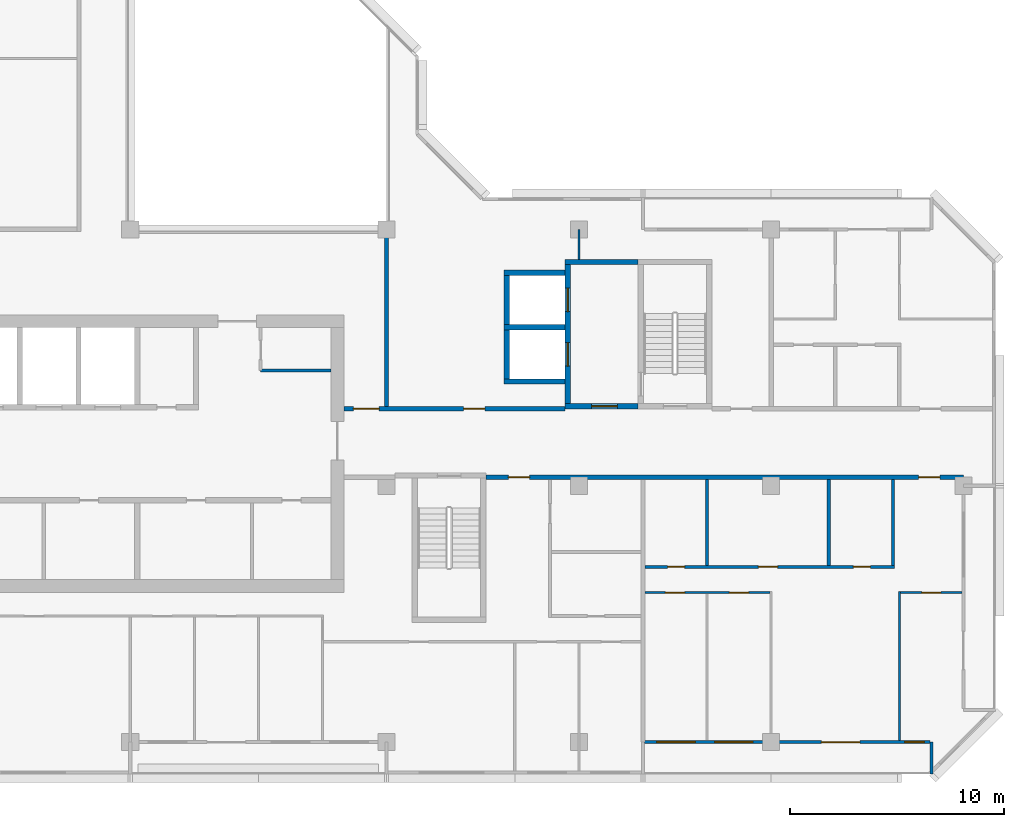
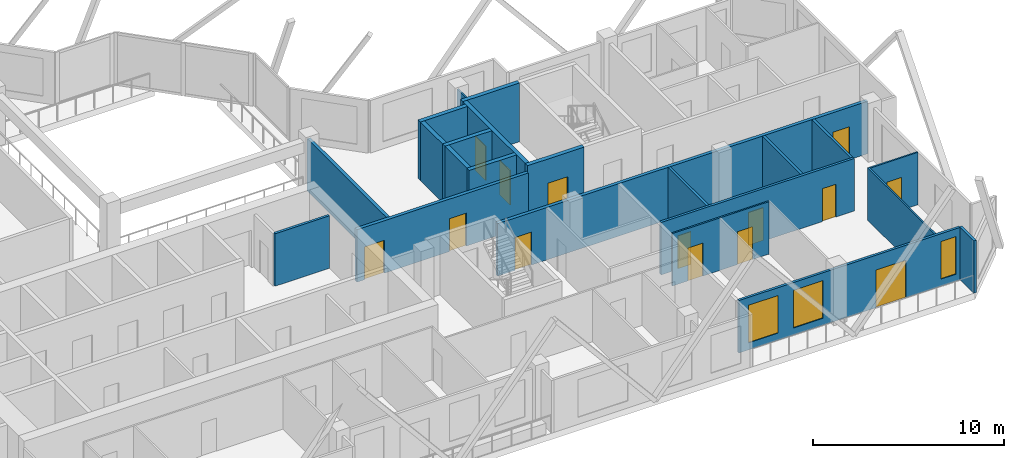
# One storey, part 7 of 13: 22 walls, 14 doors, 3 windows, 17 openings.
"""IFC4 building model written with IfcOpenShell, lengths in metres."""

from ifc_helpers import new_model, si_unit, direction, frame, frame_2d, origin, place, context, subcontext, project, spatial, rectangle, extrude, material, layer, layer_set, type_object, element, fill, save


model = new_model("IFC4")

# Units and contexts
model_context = context("Model", 3, precision=1e-05, world=origin(), true_north=direction((0.0, 1.0)))
body_context = subcontext(model_context, "Body", "Model", "MODEL_VIEW")
ifc_project = project(units=[si_unit("LENGTHUNIT", "METRE"), si_unit("AREAUNIT", "SQUARE_METRE"), si_unit("VOLUMEUNIT", "CUBIC_METRE"), si_unit("PLANEANGLEUNIT", "RADIAN"), si_unit("MASSUNIT", "GRAM", prefix="KILO")], contexts=[model_context])

# Site, building, storey
site_placement = place(None, origin())
site = spatial("IfcSite", under=ifc_project, at=site_placement, CompositionType="ELEMENT")
building_placement = place(site_placement, origin())
building = spatial("IfcBuilding", under=site, at=building_placement, Name="Chenar Terraces", CompositionType="ELEMENT")
storey_placement = place(building_placement, frame((0.0, 0.0, 288.39990234375)))
storey = spatial("IfcBuildingStorey", under=building, at=storey_placement, Name="L67", CompositionType="ELEMENT", Elevation=288.39990234375)

# Wall
ifc_material_1 = material(Name="Gypsum board on steel studs", Category="steel")
ifc_layer_1 = layer(ifc_material_1, 0.14990234375)
ifc_layer_set_1 = layer_set([ifc_layer_1], Name="Gypsum board on steel studs")
wall_type_1 = type_object("IfcWallType", Name="Core partition 150 gypsum board", PredefinedType="PARTITIONING", material=ifc_layer_set_1)
wall_1_placement = place(storey_placement, frame((30.10009765625, 17.39990234375, 0.0), z_axis=(0.0, 0.0, 1.0), x_axis=(1.0, 0.0, 0.0)))
element("IfcWall", 1, at=wall_1_placement, inside=storey, type_object=wall_type_1, Name="Core partition CP1 vestibule room south wall", PredefinedType="PARTITIONING", context=body_context, shape_type="SweptSolid", body=[
    extrude(rectangle(XDim=3.2998046875, YDim=0.14990234375, at=frame_2d((1.64990234375, 0.0))), origin(), (0.0, 0.0, 1.0), 3.35009765625),
])

# Wall, opening, door
ifc_material_2 = material(Name="Concrete C50/60", Category="concrete")
ifc_layer_2 = layer(ifc_material_2, 0.25)
ifc_layer_set_2 = layer_set([ifc_layer_2], Name="Concrete C50/60")
wall_type_2 = type_object("IfcWallType", Name="Core wall 250 Concrete C50/60", PredefinedType="SHEAR", material=ifc_layer_set_2)
wall_2_placement = place(storey_placement, frame((44.35009765625, 15.72509765625, 0.0), z_axis=(0.0, 0.0, 1.0), x_axis=(1.0, 0.0, 0.0)))
wall_2 = element("IfcWall", 2, at=wall_2_placement, inside=storey, type_object=wall_type_2, Name="Core wall F3_LS L67", PredefinedType="SHEAR", context=body_context, shape_type="SweptSolid", body=[
    extrude(rectangle(XDim=3.4248046875, YDim=0.25, at=frame_2d((1.71240234375, 0.0))), origin(), (0.0, 0.0, 1.0), 3.75),
])
opening_1_placement = place(wall_2_placement, frame((1.25, 0.0, 0.0)))
opening_1 = element("IfcOpeningElement", 3, at=opening_1_placement, cuts=wall_2, Name="Opening DL67-C10", PredefinedType="OPENING", context=body_context, shape_type="SweptSolid", body=[
    extrude(rectangle(XDim=1.199951171875, YDim=2.199951171875, at=frame_2d((0.60009765625, 1.10009765625))), frame((0.0, 0.135009765625, 0.0), z_axis=(0.0, -1.0, 0.0), x_axis=(1.0, 0.0, 0.0)), (0.0, 0.0, 1.0), 0.27001953125),
])
ifc_material_3 = material(Name="Steel-framed fire-resisting door leaf", Category="steel")
door_type_1 = type_object("IfcDoorType", Name="Lobby fire door FD60 1200 x 2200", OperationType="SINGLE_SWING_LEFT", PredefinedType="DOOR", material=ifc_material_3)
door_1_placement = place(opening_1_placement, origin())
door_1 = element("IfcDoor", 4, at=door_1_placement, inside=storey, type_object=door_type_1, Name="Core door DL67-C10", OperationType="SINGLE_SWING_RIGHT", OverallHeight=2.199951171875, OverallWidth=1.199951171875, PredefinedType="DOOR", context=body_context, shape_type="SweptSolid", body=[
    extrude(rectangle(XDim=1.199951171875, YDim=2.199951171875, at=frame_2d((0.60009765625, 1.10009765625))), frame((0.0, 0.02490234375, 0.0), z_axis=(0.0, -1.0, 0.0), x_axis=(1.0, 0.0, 0.0)), (0.0, 0.0, 1.0), 0.050048828125),
])
fill(opening_1, door_1)

# Wall
wall_3_placement = place(storey_placement, frame((44.35009765625, 22.47509765625, 0.0), z_axis=(0.0, 0.0, 1.0), x_axis=(1.0, 0.0, 0.0)))
element("IfcWall", 5, at=wall_3_placement, inside=storey, type_object=wall_type_2, Name="Core wall F3_LN L67", PredefinedType="SHEAR", context=body_context, shape_type="SweptSolid", body=[
    extrude(rectangle(XDim=3.4248046875, YDim=0.25, at=frame_2d((1.71240234375, 0.0))), origin(), (0.0, 0.0, 1.0), 3.75),
])

# Wall, openings, doors
wall_4_placement = place(storey_placement, frame((44.47509765625, 15.85009765625, 0.0), z_axis=(0.0, 0.0, 1.0), x_axis=(0.0, 1.0, 0.0)))
wall_4 = element("IfcWall", 6, at=wall_4_placement, inside=storey, type_object=wall_type_2, Name="Core wall F3_LW L67", PredefinedType="SHEAR", context=body_context, shape_type="SweptSolid", body=[
    extrude(rectangle(XDim=6.5, YDim=0.25, at=frame_2d((3.25, 0.0))), origin(), (0.0, 0.0, 1.0), 3.75),
])
opening_2_placement = place(wall_4_placement, frame((1.75, 0.0, 0.0)))
opening_2 = element("IfcOpeningElement", 7, at=opening_2_placement, cuts=wall_4, Name="Opening DL67-LD8", PredefinedType="OPENING", context=body_context, shape_type="SweptSolid", body=[
    extrude(rectangle(XDim=1.10009765625, YDim=2.199951171875, at=frame_2d((0.550048828125, 1.10009765625))), frame((0.0, 0.135009765625, 0.0), z_axis=(0.0, -1.0, 0.0), x_axis=(1.0, 0.0, 0.0)), (0.0, 0.0, 1.0), 0.27001953125),
])
opening_3_placement = place(wall_4_placement, frame((4.300048828125, 0.0, 0.0)))
opening_3 = element("IfcOpeningElement", 8, at=opening_3_placement, cuts=wall_4, Name="Opening DL67-LD9", PredefinedType="OPENING", context=body_context, shape_type="SweptSolid", body=[
    extrude(rectangle(XDim=1.10009765625, YDim=2.199951171875, at=frame_2d((0.550048828125, 1.10009765625))), frame((0.0, 0.135009765625, 0.0), z_axis=(0.0, -1.0, 0.0), x_axis=(1.0, 0.0, 0.0)), (0.0, 0.0, 1.0), 0.27001953125),
])
ifc_material_4 = material(Name="Stainless steel", Category="steel")
door_type_2 = type_object("IfcDoorType", Name="Lift landing door 1100 x 2200 sliding", OperationType="DOUBLE_DOOR_SLIDING", PredefinedType="DOOR", material=ifc_material_4)
door_2_placement = place(opening_2_placement, origin())
door_2 = element("IfcDoor", 9, at=door_2_placement, inside=storey, type_object=door_type_2, Name="Landing door F3", OperationType="DOUBLE_DOOR_SLIDING", OverallHeight=2.199951171875, OverallWidth=1.10009765625, PredefinedType="DOOR", context=body_context, shape_type="SweptSolid", body=[
    extrude(rectangle(XDim=1.10009765625, YDim=2.199951171875, at=frame_2d((0.550048828125, 1.10009765625))), frame((0.0, 0.02490234375, 0.0), z_axis=(0.0, -1.0, 0.0), x_axis=(1.0, 0.0, 0.0)), (0.0, 0.0, 1.0), 0.050048828125),
])
fill(opening_2, door_2)
door_3_placement = place(opening_3_placement, origin())
door_3 = element("IfcDoor", 10, at=door_3_placement, inside=storey, type_object=door_type_2, Name="Landing door F4", OperationType="DOUBLE_DOOR_SLIDING", OverallHeight=2.199951171875, OverallWidth=1.10009765625, PredefinedType="DOOR", context=body_context, shape_type="SweptSolid", body=[
    extrude(rectangle(XDim=1.10009765625, YDim=2.199951171875, at=frame_2d((0.550048828125, 1.10009765625))), frame((0.0, 0.02490234375, 0.0), z_axis=(0.0, -1.0, 0.0), x_axis=(1.0, 0.0, 0.0)), (0.0, 0.0, 1.0), 0.050048828125),
])
fill(opening_3, door_3)

# Walls
for number, where, z_axis, x_axis, name in (
    (11, (41.5, 16.875, 0.0), (0.0, 0.0, 1.0), (1.0, 0.0, 0.0), "Core wall F3_SS L67"),
    (12, (41.5, 19.425048828125, 0.0), (0.0, 0.0, 1.0), (1.0, 0.0, 0.0), "Core wall F3_SM L67"),
    (13, (41.5, 21.97509765625, 0.0), (0.0, 0.0, 1.0), (1.0, 0.0, 0.0), "Core wall F4_SN L67"),
):
    element("IfcWall", number, at=place(storey_placement, frame(where, z_axis=z_axis, x_axis=x_axis)), inside=storey, type_object=wall_type_2, Name=name, PredefinedType="SHEAR", context=body_context, shape_type="SweptSolid", body=[
        extrude(rectangle(XDim=2.85009765625, YDim=0.25, at=frame_2d((1.425048828125, 0.0))), origin(), (0.0, 0.0, 1.0), 3.75),
    ])
for number, where, z_axis, x_axis, name in (
    (14, (41.625, 17.0, 0.0), (0.0, 0.0, 1.0), (0.0, 1.0, 0.0), "Core wall F3_SW L67"),
    (15, (41.625, 19.550048828125, 0.0), (0.0, 0.0, 1.0), (0.0, 1.0, 0.0), "Core wall F4_SW L67"),
):
    element("IfcWall", number, at=place(storey_placement, frame(where, z_axis=z_axis, x_axis=x_axis)), inside=storey, type_object=wall_type_2, Name=name, PredefinedType="SHEAR", context=body_context, shape_type="SweptSolid", body=[
        extrude(rectangle(XDim=2.300048828125, YDim=0.25, at=frame_2d((1.14990234375, 0.0))), origin(), (0.0, 0.0, 1.0), 3.75),
    ])

# Wall, openings, doors
ifc_material_5 = material(Name="Gypsum board on steel studs with fire boards", Category="steel")
ifc_layer_3 = layer(ifc_material_5, 0.199951171875)
ifc_layer_set_3 = layer_set([ifc_layer_3], Name="Gypsum board on steel studs with fire boards")
wall_type_3 = type_object("IfcWallType", Name="Corridor wall 200", PredefinedType="PARTITIONING", material=ifc_layer_set_3)
wall_5_placement = place(storey_placement, frame((34.0, 15.60009765625, 0.0), z_axis=(0.0, 0.0, 1.0), x_axis=(1.0, 0.0, 0.0)))
wall_5 = element("IfcWall", 16, at=wall_5_placement, inside=storey, type_object=wall_type_3, Name="Partition L67-049", PredefinedType="PARTITIONING", context=body_context, shape_type="SweptSolid", body=[
    extrude(rectangle(XDim=10.35009765625, YDim=0.199951171875, at=frame_2d((5.175048828125, 0.0))), origin(), (0.0, 0.0, 1.0), 3.35009765625),
])
opening_4_placement = place(wall_5_placement, frame((5.60009765625, 0.0, 0.0)))
opening_4 = element("IfcOpeningElement", 17, at=opening_4_placement, cuts=wall_5, Name="Opening DL67-3", PredefinedType="OPENING", context=body_context, shape_type="SweptSolid", body=[
    extrude(rectangle(XDim=1.0, YDim=2.10009765625, at=frame_2d((0.5, 1.050048828125))), frame((0.0, 0.10986328125, 0.0), z_axis=(0.0, -1.0, 0.0), x_axis=(1.0, 0.0, 0.0)), (0.0, 0.0, 1.0), 0.219970703125),
])
opening_5_placement = place(wall_5_placement, frame((0.449951171875, 0.0, 0.0)))
opening_5 = element("IfcOpeningElement", 18, at=opening_5_placement, cuts=wall_5, Name="Opening DL67-30", PredefinedType="OPENING", context=body_context, shape_type="SweptSolid", body=[
    extrude(rectangle(XDim=1.199951171875, YDim=2.10009765625, at=frame_2d((0.60009765625, 1.050048828125))), frame((0.0, 0.10986328125, 0.0), z_axis=(0.0, -1.0, 0.0), x_axis=(1.0, 0.0, 0.0)), (0.0, 0.0, 1.0), 0.219970703125),
])
ifc_material_6 = material(Name="Steel-framed fire-resisting door leaf", Category="steel")
door_type_3 = type_object("IfcDoorType", Name="Fire door FD60 1000 x 2100", OperationType="SINGLE_SWING_LEFT", PredefinedType="DOOR", material=ifc_material_6)
door_4_placement = place(opening_4_placement, origin())
door_4 = element("IfcDoor", 19, at=door_4_placement, inside=storey, type_object=door_type_3, Name="Door DL67-3", OperationType="SINGLE_SWING_RIGHT", OverallHeight=2.10009765625, OverallWidth=1.0, PredefinedType="DOOR", context=body_context, shape_type="SweptSolid", body=[
    extrude(rectangle(XDim=1.0, YDim=2.10009765625, at=frame_2d((0.5, 1.050048828125))), frame((0.0, 0.02490234375, 0.0), z_axis=(0.0, -1.0, 0.0), x_axis=(1.0, 0.0, 0.0)), (0.0, 0.0, 1.0), 0.050048828125),
])
fill(opening_4, door_4)
ifc_material_7 = material(Name="Steel-framed fire-resisting door leaf", Category="steel")
door_type_4 = type_object("IfcDoorType", Name="Fire door FD60 1200 x 2100", OperationType="SINGLE_SWING_LEFT", PredefinedType="DOOR", material=ifc_material_7)
door_5_placement = place(opening_5_placement, origin())
door_5 = element("IfcDoor", 20, at=door_5_placement, inside=storey, type_object=door_type_4, Name="Door DL67-30", OperationType="SINGLE_SWING_RIGHT", OverallHeight=2.10009765625, OverallWidth=1.199951171875, PredefinedType="DOOR", context=body_context, shape_type="SweptSolid", body=[
    extrude(rectangle(XDim=1.199951171875, YDim=2.10009765625, at=frame_2d((0.60009765625, 1.050048828125))), frame((0.0, 0.02490234375, 0.0), z_axis=(0.0, -1.0, 0.0), x_axis=(1.0, 0.0, 0.0)), (0.0, 0.0, 1.0), 0.050048828125),
])
fill(opening_5, door_5)

# Wall
wall_6_placement = place(storey_placement, frame((36.0, 15.699951171875, 0.0), z_axis=(0.0, 0.0, 1.0), x_axis=(0.0, 1.0, 0.0)))
element("IfcWall", 21, at=wall_6_placement, inside=storey, type_object=wall_type_3, Name="Partition L67-050", PredefinedType="PARTITIONING", context=body_context, shape_type="SweptSolid", body=[
    extrude(rectangle(XDim=8.300048828125, YDim=0.199951171875, at=frame_2d((4.14990234375, 0.0))), origin(), (0.0, 0.0, 1.0), 3.35009765625),
])

# Wall, openings, doors
wall_7_placement = place(storey_placement, frame((40.64990234375, 12.39990234375, 0.0), z_axis=(0.0, 0.0, 1.0), x_axis=(1.0, 0.0, 0.0)))
wall_7 = element("IfcWall", 22, at=wall_7_placement, inside=storey, type_object=wall_type_3, Name="Partition L67-051", PredefinedType="PARTITIONING", context=body_context, shape_type="SweptSolid", body=[
    extrude(rectangle(XDim=22.35009765625, YDim=0.199951171875, at=frame_2d((11.175048828125, 0.0))), origin(), (0.0, 0.0, 1.0), 3.35009765625),
])
opening_6_placement = place(wall_7_placement, frame((20.25, 0.0, 0.0)))
opening_6 = element("IfcOpeningElement", 23, at=opening_6_placement, cuts=wall_7, Name="Opening DL67-15", PredefinedType="OPENING", context=body_context, shape_type="SweptSolid", body=[
    extrude(rectangle(XDim=1.0, YDim=2.10009765625, at=frame_2d((0.5, 1.050048828125))), frame((0.0, 0.10986328125, 0.0), z_axis=(0.0, -1.0, 0.0), x_axis=(1.0, 0.0, 0.0)), (0.0, 0.0, 1.0), 0.219970703125),
])
opening_7_placement = place(wall_7_placement, frame((1.050048828125, 0.0, 0.0)))
opening_7 = element("IfcOpeningElement", 24, at=opening_7_placement, cuts=wall_7, Name="Opening DL67-44", PredefinedType="OPENING", context=body_context, shape_type="SweptSolid", body=[
    extrude(rectangle(XDim=1.0, YDim=2.10009765625, at=frame_2d((0.5, 1.050048828125))), frame((0.0, 0.10986328125, 0.0), z_axis=(0.0, -1.0, 0.0), x_axis=(1.0, 0.0, 0.0)), (0.0, 0.0, 1.0), 0.219970703125),
])
ifc_material_8 = material(Name="Steel-framed fire-resisting door leaf", Category="steel")
door_type_5 = type_object("IfcDoorType", Name="Fire door FD30S 1000 x 2100", OperationType="SINGLE_SWING_LEFT", PredefinedType="DOOR", material=ifc_material_8)
door_6_placement = place(opening_6_placement, frame((1.0, 0.0, 0.0), z_axis=(0.0, 0.0, 1.0), x_axis=(-1.0, 0.0, 0.0)))
door_6 = element("IfcDoor", 25, at=door_6_placement, inside=storey, type_object=door_type_5, Name="Door DL67-15", OperationType="SINGLE_SWING_LEFT", OverallHeight=2.10009765625, OverallWidth=1.0, PredefinedType="DOOR", context=body_context, shape_type="SweptSolid", body=[
    extrude(rectangle(XDim=1.0, YDim=2.10009765625, at=frame_2d((0.5, 1.050048828125))), frame((0.0, 0.02490234375, 0.0), z_axis=(0.0, -1.0, 0.0), x_axis=(1.0, 0.0, 0.0)), (0.0, 0.0, 1.0), 0.050048828125),
])
fill(opening_6, door_6)
door_7_placement = place(opening_7_placement, origin())
door_7 = element("IfcDoor", 26, at=door_7_placement, inside=storey, type_object=door_type_5, Name="Door DL67-44", OperationType="SINGLE_SWING_LEFT", OverallHeight=2.10009765625, OverallWidth=1.0, PredefinedType="DOOR", context=body_context, shape_type="SweptSolid", body=[
    extrude(rectangle(XDim=1.0, YDim=2.10009765625, at=frame_2d((0.5, 1.050048828125))), frame((0.0, 0.02490234375, 0.0), z_axis=(0.0, -1.0, 0.0), x_axis=(1.0, 0.0, 0.0)), (0.0, 0.0, 1.0), 0.050048828125),
])
fill(opening_7, door_7)

# Wall, openings, windows, door
ifc_material_9 = material(Name="Aluminium framed glazing", Category="aluminium")
ifc_layer_4 = layer(ifc_material_9, 0.14990234375)
ifc_layer_set_4 = layer_set([ifc_layer_4], Name="Aluminium framed glazing")
wall_type_4 = type_object("IfcWallType", Name="Glazed loggia back wall 150", PredefinedType="SOLIDWALL", material=ifc_layer_set_4)
wall_8_placement = place(storey_placement, frame((48.074951171875, 0.0, 0.0), z_axis=(0.0, 0.0, 1.0), x_axis=(1.0, 0.0, 0.0)))
wall_8 = element("IfcWall", 27, at=wall_8_placement, inside=storey, type_object=wall_type_4, Name="Glazed loggia back wall", PredefinedType="SOLIDWALL", context=body_context, shape_type="SweptSolid", body=[
    extrude(rectangle(XDim=13.35009765625, YDim=0.14990234375, at=frame_2d((6.675048828125, 0.0))), origin(), (0.0, 0.0, 1.0), 3.35009765625),
])
opening_8_placement = place(wall_8_placement, frame((0.5625, 0.0, 0.449951171875)))
opening_8 = element("IfcOpeningElement", 28, at=opening_8_placement, cuts=wall_8, Name="Opening W180x240", PredefinedType="OPENING", context=body_context, shape_type="SweptSolid", body=[
    extrude(rectangle(XDim=1.800048828125, YDim=2.39990234375, at=frame_2d((0.89990234375, 1.199951171875))), frame((0.0, 0.0849609375, 0.0), z_axis=(0.0, -1.0, 0.0), x_axis=(1.0, 0.0, 0.0)), (0.0, 0.0, 1.0), 0.169921875),
])
opening_9_placement = place(wall_8_placement, frame((3.27490234375, 0.0, 0.449951171875)))
opening_9 = element("IfcOpeningElement", 29, at=opening_9_placement, cuts=wall_8, Name="Opening W180x240", PredefinedType="OPENING", context=body_context, shape_type="SweptSolid", body=[
    extrude(rectangle(XDim=1.800048828125, YDim=2.39990234375, at=frame_2d((0.89990234375, 1.199951171875))), frame((0.0, 0.0849609375, 0.0), z_axis=(0.0, -1.0, 0.0), x_axis=(1.0, 0.0, 0.0)), (0.0, 0.0, 1.0), 0.169921875),
])
opening_10_placement = place(wall_8_placement, frame((8.27490234375, 0.0, 0.0)))
opening_10 = element("IfcOpeningElement", 30, at=opening_10_placement, cuts=wall_8, Name="Opening DL67-G6", PredefinedType="OPENING", context=body_context, shape_type="SweptSolid", body=[
    extrude(rectangle(XDim=1.800048828125, YDim=2.39990234375, at=frame_2d((0.89990234375, 1.199951171875))), frame((0.0, 0.0849609375, 0.0), z_axis=(0.0, -1.0, 0.0), x_axis=(1.0, 0.0, 0.0)), (0.0, 0.0, 1.0), 0.169921875),
])
opening_11_placement = place(wall_8_placement, frame((12.1875, 0.0, 0.449951171875)))
opening_11 = element("IfcOpeningElement", 31, at=opening_11_placement, cuts=wall_8, Name="Opening W90x240", PredefinedType="OPENING", context=body_context, shape_type="SweptSolid", body=[
    extrude(rectangle(XDim=0.89990234375, YDim=2.39990234375, at=frame_2d((0.449951171875, 1.199951171875))), frame((0.0, 0.0849609375, 0.0), z_axis=(0.0, -1.0, 0.0), x_axis=(1.0, 0.0, 0.0)), (0.0, 0.0, 1.0), 0.169921875),
])
ifc_material_10 = material(Name="Low emissivity double glazing, aluminium frame", Category="aluminium")
window_type_1 = type_object("IfcWindowType", Name="Fixed light 1800 x 2400", PartitioningType="SINGLE_PANEL", PredefinedType="WINDOW", material=ifc_material_10)
window_1_placement = place(opening_8_placement, origin())
window_1 = element("IfcWindow", 32, at=window_1_placement, inside=storey, type_object=window_type_1, Name="Window", OverallHeight=2.39990234375, OverallWidth=1.800048828125, PartitioningType="SINGLE_PANEL", PredefinedType="WINDOW", context=body_context, shape_type="SweptSolid", body=[
    extrude(rectangle(XDim=1.800048828125, YDim=2.39990234375, at=frame_2d((0.89990234375, 1.199951171875))), frame((0.0, 0.030029296875, 0.0), z_axis=(0.0, -1.0, 0.0), x_axis=(1.0, 0.0, 0.0)), (0.0, 0.0, 1.0), 0.06005859375),
])
fill(opening_8, window_1)
window_2_placement = place(opening_9_placement, origin())
window_2 = element("IfcWindow", 33, at=window_2_placement, inside=storey, type_object=window_type_1, Name="Window", OverallHeight=2.39990234375, OverallWidth=1.800048828125, PartitioningType="SINGLE_PANEL", PredefinedType="WINDOW", context=body_context, shape_type="SweptSolid", body=[
    extrude(rectangle(XDim=1.800048828125, YDim=2.39990234375, at=frame_2d((0.89990234375, 1.199951171875))), frame((0.0, 0.030029296875, 0.0), z_axis=(0.0, -1.0, 0.0), x_axis=(1.0, 0.0, 0.0)), (0.0, 0.0, 1.0), 0.06005859375),
])
fill(opening_9, window_2)
ifc_material_11 = material(Name="Low emissivity double glazing, aluminium frame", Category="aluminium")
window_type_2 = type_object("IfcWindowType", Name="Fixed light 900 x 2400", PartitioningType="SINGLE_PANEL", PredefinedType="WINDOW", material=ifc_material_11)
window_3_placement = place(opening_11_placement, origin())
window_3 = element("IfcWindow", 34, at=window_3_placement, inside=storey, type_object=window_type_2, Name="Window", OverallHeight=2.39990234375, OverallWidth=0.89990234375, PartitioningType="SINGLE_PANEL", PredefinedType="WINDOW", context=body_context, shape_type="SweptSolid", body=[
    extrude(rectangle(XDim=0.89990234375, YDim=2.39990234375, at=frame_2d((0.449951171875, 1.199951171875))), frame((0.0, 0.030029296875, 0.0), z_axis=(0.0, -1.0, 0.0), x_axis=(1.0, 0.0, 0.0)), (0.0, 0.0, 1.0), 0.06005859375),
])
fill(opening_11, window_3)
ifc_material_12 = material(Name="Low emissivity double glazing, aluminium frame", Category="aluminium")
door_type_6 = type_object("IfcDoorType", Name="Loggia glazed double door 1800 x 2400", OperationType="DOUBLE_DOOR_SINGLE_SWING", PredefinedType="DOOR", material=ifc_material_12)
door_8_placement = place(opening_10_placement, frame((1.800048828125, 0.0, 0.0), z_axis=(0.0, 0.0, 1.0), x_axis=(-1.0, 0.0, 0.0)))
door_8 = element("IfcDoor", 35, at=door_8_placement, inside=storey, type_object=door_type_6, Name="Loggia glazed door", OperationType="DOUBLE_DOOR_SINGLE_SWING", OverallHeight=2.39990234375, OverallWidth=1.800048828125, PredefinedType="DOOR", context=body_context, shape_type="SweptSolid", body=[
    extrude(rectangle(XDim=1.800048828125, YDim=2.39990234375, at=frame_2d((0.89990234375, 1.199951171875))), frame((0.0, 0.02490234375, 0.0), z_axis=(0.0, -1.0, 0.0), x_axis=(1.0, 0.0, 0.0)), (0.0, 0.0, 1.0), 0.050048828125),
])
fill(opening_10, door_8)

# Wall
ifc_material_13 = material(Name="Gypsum board on steel studs", Category="steel")
ifc_layer_5 = layer(ifc_material_13, 0.10009765625)
ifc_layer_set_5 = layer_set([ifc_layer_5], Name="Gypsum board on steel studs")
wall_type_5 = type_object("IfcWallType", Name="Gypsum partition 100", PredefinedType="PARTITIONING", material=ifc_layer_set_5)
wall_9_placement = place(storey_placement, frame((45.0, 22.60009765625, 0.0), z_axis=(0.0, 0.0, 1.0), x_axis=(0.0, 1.0, 0.0)))
element("IfcWall", 36, at=wall_9_placement, inside=storey, type_object=wall_type_5, Name="Partition L67-057", PredefinedType="PARTITIONING", context=body_context, shape_type="SweptSolid", body=[
    extrude(rectangle(XDim=1.39990234375, YDim=0.10009765625, at=frame_2d((0.699951171875, 0.0))), origin(), (0.0, 0.0, 1.0), 3.35009765625),
])

# Wall, openings, doors
wall_10_placement = place(storey_placement, frame((48.10009765625, 7.0, 0.0), z_axis=(0.0, 0.0, 1.0), x_axis=(1.0, 0.0, 0.0)))
wall_10 = element("IfcWall", 37, at=wall_10_placement, inside=storey, type_object=wall_type_5, Name="Partition L67-059", PredefinedType="PARTITIONING", context=body_context, shape_type="SweptSolid", body=[
    extrude(rectangle(XDim=5.849853515625, YDim=0.10009765625, at=frame_2d((2.9248046875, 0.0))), origin(), (0.0, 0.0, 1.0), 3.35009765625),
])
opening_12_placement = place(wall_10_placement, frame((0.949951171875, 0.0, 0.0)))
opening_12 = element("IfcOpeningElement", 38, at=opening_12_placement, cuts=wall_10, Name="Opening DL67-10", PredefinedType="OPENING", context=body_context, shape_type="SweptSolid", body=[
    extrude(rectangle(XDim=0.89990234375, YDim=2.10009765625, at=frame_2d((0.449951171875, 1.050048828125))), frame((0.0, 0.06005859375, 0.0), z_axis=(0.0, -1.0, 0.0), x_axis=(1.0, 0.0, 0.0)), (0.0, 0.0, 1.0), 0.1201171875),
])
opening_13_placement = place(wall_10_placement, frame((3.949951171875, 0.0, 0.0)))
opening_13 = element("IfcOpeningElement", 39, at=opening_13_placement, cuts=wall_10, Name="Opening DL67-11", PredefinedType="OPENING", context=body_context, shape_type="SweptSolid", body=[
    extrude(rectangle(XDim=0.89990234375, YDim=2.10009765625, at=frame_2d((0.449951171875, 1.050048828125))), frame((0.0, 0.06005859375, 0.0), z_axis=(0.0, -1.0, 0.0), x_axis=(1.0, 0.0, 0.0)), (0.0, 0.0, 1.0), 0.1201171875),
])
ifc_material_14 = material(Name="Veneered timber door leaf", Category="wood")
door_type_7 = type_object("IfcDoorType", Name="Door 900 x 2100", OperationType="SINGLE_SWING_LEFT", PredefinedType="DOOR", material=ifc_material_14)
door_9_placement = place(opening_12_placement, frame((0.89990234375, 0.0, 0.0), z_axis=(0.0, 0.0, 1.0), x_axis=(-1.0, 0.0, 0.0)))
door_9 = element("IfcDoor", 40, at=door_9_placement, inside=storey, type_object=door_type_7, Name="Door DL67-10", OperationType="SINGLE_SWING_LEFT", OverallHeight=2.10009765625, OverallWidth=0.89990234375, PredefinedType="DOOR", context=body_context, shape_type="SweptSolid", body=[
    extrude(rectangle(XDim=0.89990234375, YDim=2.10009765625, at=frame_2d((0.449951171875, 1.050048828125))), frame((0.0, 0.02490234375, 0.0), z_axis=(0.0, -1.0, 0.0), x_axis=(1.0, 0.0, 0.0)), (0.0, 0.0, 1.0), 0.050048828125),
])
fill(opening_12, door_9)
door_10_placement = place(opening_13_placement, frame((0.89990234375, 0.0, 0.0), z_axis=(0.0, 0.0, 1.0), x_axis=(-1.0, 0.0, 0.0)))
door_10 = element("IfcDoor", 41, at=door_10_placement, inside=storey, type_object=door_type_7, Name="Door DL67-11", OperationType="SINGLE_SWING_LEFT", OverallHeight=2.10009765625, OverallWidth=0.89990234375, PredefinedType="DOOR", context=body_context, shape_type="SweptSolid", body=[
    extrude(rectangle(XDim=0.89990234375, YDim=2.10009765625, at=frame_2d((0.449951171875, 1.050048828125))), frame((0.0, 0.02490234375, 0.0), z_axis=(0.0, -1.0, 0.0), x_axis=(1.0, 0.0, 0.0)), (0.0, 0.0, 1.0), 0.050048828125),
])
fill(opening_13, door_10)

# Wall
wall_11_placement = place(storey_placement, frame((60.0, 0.073974609375, 0.0), z_axis=(0.0, 0.0, 1.0), x_axis=(0.0, 1.0, 0.0)))
element("IfcWall", 42, at=wall_11_placement, inside=storey, type_object=wall_type_5, Name="Partition L67-072", PredefinedType="PARTITIONING", context=body_context, shape_type="SweptSolid", body=[
    extrude(rectangle(XDim=6.97607421875, YDim=0.10009765625, at=frame_2d((3.488037109375, 0.0))), origin(), (0.0, 0.0, 1.0), 3.35009765625),
])

# Wall, opening, door
wall_12_placement = place(storey_placement, frame((60.050048828125, 7.0, 0.0), z_axis=(0.0, 0.0, 1.0), x_axis=(1.0, 0.0, 0.0)))
wall_12 = element("IfcWall", 43, at=wall_12_placement, inside=storey, type_object=wall_type_5, Name="Partition L67-075", PredefinedType="PARTITIONING", context=body_context, shape_type="SweptSolid", body=[
    extrude(rectangle(XDim=2.8759765625, YDim=0.10009765625, at=frame_2d((1.43798828125, 0.0))), origin(), (0.0, 0.0, 1.0), 3.35009765625),
])
opening_14_placement = place(wall_12_placement, frame((1.0, 0.0, 0.0)))
opening_14 = element("IfcOpeningElement", 44, at=opening_14_placement, cuts=wall_12, Name="Opening DL67-12", PredefinedType="OPENING", context=body_context, shape_type="SweptSolid", body=[
    extrude(rectangle(XDim=0.89990234375, YDim=2.10009765625, at=frame_2d((0.449951171875, 1.050048828125))), frame((0.0, 0.06005859375, 0.0), z_axis=(0.0, -1.0, 0.0), x_axis=(1.0, 0.0, 0.0)), (0.0, 0.0, 1.0), 0.1201171875),
])
door_11_placement = place(opening_14_placement, frame((0.89990234375, 0.0, 0.0), z_axis=(0.0, 0.0, 1.0), x_axis=(-1.0, 0.0, 0.0)))
door_11 = element("IfcDoor", 45, at=door_11_placement, inside=storey, type_object=door_type_7, Name="Door DL67-12", OperationType="SINGLE_SWING_LEFT", OverallHeight=2.10009765625, OverallWidth=0.89990234375, PredefinedType="DOOR", context=body_context, shape_type="SweptSolid", body=[
    extrude(rectangle(XDim=0.89990234375, YDim=2.10009765625, at=frame_2d((0.449951171875, 1.050048828125))), frame((0.0, 0.02490234375, 0.0), z_axis=(0.0, -1.0, 0.0), x_axis=(1.0, 0.0, 0.0)), (0.0, 0.0, 1.0), 0.050048828125),
])
fill(opening_14, door_11)

# Wall
ifc_material_15 = material(Name="Terracotta cladding on insulated backing", Category="masonry")
ifc_layer_6 = layer(ifc_material_15, 0.14990234375)
ifc_layer_set_6 = layer_set([ifc_layer_6], Name="Terracotta cladding on insulated backing")
wall_type_6 = type_object("IfcWallType", Name="Loggia return wall 150", PredefinedType="SOLIDWALL", material=ifc_layer_set_6)
wall_13_placement = place(storey_placement, frame((61.5, -1.5, 0.0), z_axis=(0.0, 0.0, 1.0), x_axis=(0.0, 1.0, 0.0)))
element("IfcWall", 46, at=wall_13_placement, inside=storey, type_object=wall_type_6, Name="Loggia return wall", PredefinedType="SOLIDWALL", context=body_context, shape_type="SweptSolid", body=[
    extrude(rectangle(XDim=1.5, YDim=0.14990234375, at=frame_2d((0.75, 0.0))), origin(), (0.0, 0.0, 1.0), 3.35009765625),
])

# Wall, openings, doors
ifc_material_16 = material(Name="Moisture-resistant gypsum board on steel studs", Category="steel")
ifc_layer_7 = layer(ifc_material_16, 0.14990234375)
ifc_layer_set_7 = layer_set([ifc_layer_7], Name="Moisture-resistant gypsum board on steel studs")
wall_type_7 = type_object("IfcWallType", Name="Wet-room partition 150", PredefinedType="PARTITIONING", material=ifc_layer_set_7)
wall_14_placement = place(storey_placement, frame((48.10009765625, 8.199951171875, 0.0), z_axis=(0.0, 0.0, 1.0), x_axis=(1.0, 0.0, 0.0)))
wall_14 = element("IfcWall", 47, at=wall_14_placement, inside=storey, type_object=wall_type_7, Name="Partition L67-060", PredefinedType="PARTITIONING", context=body_context, shape_type="SweptSolid", body=[
    extrude(rectangle(XDim=11.6748046875, YDim=0.14990234375, at=frame_2d((5.83740234375, 0.0))), origin(), (0.0, 0.0, 1.0), 3.35009765625),
])
opening_15_placement = place(wall_14_placement, frame((9.75, 0.0, 0.0)))
opening_15 = element("IfcOpeningElement", 48, at=opening_15_placement, cuts=wall_14, Name="Opening DL67-9", PredefinedType="OPENING", context=body_context, shape_type="SweptSolid", body=[
    extrude(rectangle(XDim=0.800048828125, YDim=2.10009765625, at=frame_2d((0.39990234375, 1.050048828125))), frame((0.0, 0.0849609375, 0.0), z_axis=(0.0, -1.0, 0.0), x_axis=(1.0, 0.0, 0.0)), (0.0, 0.0, 1.0), 0.169921875),
])
opening_16_placement = place(wall_14_placement, frame((5.300048828125, 0.0, 0.0)))
opening_16 = element("IfcOpeningElement", 49, at=opening_16_placement, cuts=wall_14, Name="Opening DL67-13", PredefinedType="OPENING", context=body_context, shape_type="SweptSolid", body=[
    extrude(rectangle(XDim=0.89990234375, YDim=2.10009765625, at=frame_2d((0.449951171875, 1.050048828125))), frame((0.0, 0.0849609375, 0.0), z_axis=(0.0, -1.0, 0.0), x_axis=(1.0, 0.0, 0.0)), (0.0, 0.0, 1.0), 0.169921875),
])
opening_17_placement = place(wall_14_placement, frame((1.050048828125, 0.0, 0.0)))
opening_17 = element("IfcOpeningElement", 50, at=opening_17_placement, cuts=wall_14, Name="Opening DL67-14", PredefinedType="OPENING", context=body_context, shape_type="SweptSolid", body=[
    extrude(rectangle(XDim=0.800048828125, YDim=2.10009765625, at=frame_2d((0.39990234375, 1.050048828125))), frame((0.0, 0.0849609375, 0.0), z_axis=(0.0, -1.0, 0.0), x_axis=(1.0, 0.0, 0.0)), (0.0, 0.0, 1.0), 0.169921875),
])
ifc_material_17 = material(Name="Veneered timber door leaf", Category="wood")
door_type_8 = type_object("IfcDoorType", Name="Door 800 x 2100", OperationType="SINGLE_SWING_LEFT", PredefinedType="DOOR", material=ifc_material_17)
door_12_placement = place(opening_15_placement, origin())
door_12 = element("IfcDoor", 51, at=door_12_placement, inside=storey, type_object=door_type_8, Name="Door DL67-9", OperationType="SINGLE_SWING_RIGHT", OverallHeight=2.10009765625, OverallWidth=0.800048828125, PredefinedType="DOOR", context=body_context, shape_type="SweptSolid", body=[
    extrude(rectangle(XDim=0.800048828125, YDim=2.10009765625, at=frame_2d((0.39990234375, 1.050048828125))), frame((0.0, 0.02490234375, 0.0), z_axis=(0.0, -1.0, 0.0), x_axis=(1.0, 0.0, 0.0)), (0.0, 0.0, 1.0), 0.050048828125),
])
fill(opening_15, door_12)
door_13_placement = place(opening_17_placement, origin())
door_13 = element("IfcDoor", 52, at=door_13_placement, inside=storey, type_object=door_type_8, Name="Door DL67-14", OperationType="SINGLE_SWING_RIGHT", OverallHeight=2.10009765625, OverallWidth=0.800048828125, PredefinedType="DOOR", context=body_context, shape_type="SweptSolid", body=[
    extrude(rectangle(XDim=0.800048828125, YDim=2.10009765625, at=frame_2d((0.39990234375, 1.050048828125))), frame((0.0, 0.02490234375, 0.0), z_axis=(0.0, -1.0, 0.0), x_axis=(1.0, 0.0, 0.0)), (0.0, 0.0, 1.0), 0.050048828125),
])
fill(opening_17, door_13)
door_14_placement = place(opening_16_placement, origin())
door_14 = element("IfcDoor", 53, at=door_14_placement, inside=storey, type_object=door_type_7, Name="Door DL67-13", OperationType="SINGLE_SWING_LEFT", OverallHeight=2.10009765625, OverallWidth=0.89990234375, PredefinedType="DOOR", context=body_context, shape_type="SweptSolid", body=[
    extrude(rectangle(XDim=0.89990234375, YDim=2.10009765625, at=frame_2d((0.449951171875, 1.050048828125))), frame((0.0, 0.02490234375, 0.0), z_axis=(0.0, -1.0, 0.0), x_axis=(1.0, 0.0, 0.0)), (0.0, 0.0, 1.0), 0.050048828125),
])
fill(opening_16, door_14)

# Walls
for number, where, z_axis, x_axis, name in (
    (54, (51.0, 8.27490234375, 0.0), (0.0, 0.0, 1.0), (0.0, 1.0, 0.0), "Partition L67-062"),
    (55, (56.699951171875, 8.27490234375, 0.0), (0.0, 0.0, 1.0), (0.0, 1.0, 0.0), "Partition L67-068"),
    (56, (59.699951171875, 8.27490234375, 0.0), (0.0, 0.0, 1.0), (0.0, 1.0, 0.0), "Partition L67-071"),
):
    element("IfcWall", number, at=place(storey_placement, frame(where, z_axis=z_axis, x_axis=x_axis)), inside=storey, type_object=wall_type_7, Name=name, PredefinedType="PARTITIONING", context=body_context, shape_type="SweptSolid", body=[
        extrude(rectangle(XDim=4.025146484375, YDim=0.14990234375, at=frame_2d((2.0126953125, 0.0))), origin(), (0.0, 0.0, 1.0), 3.35009765625),
    ])

save(model, "model.ifc")
